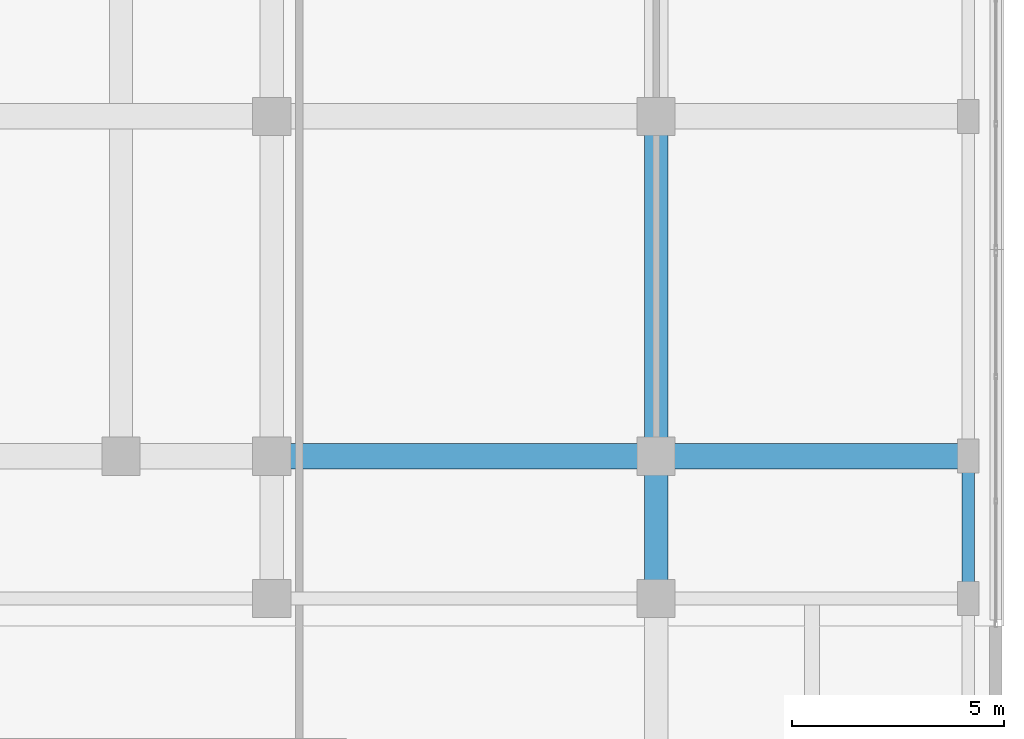
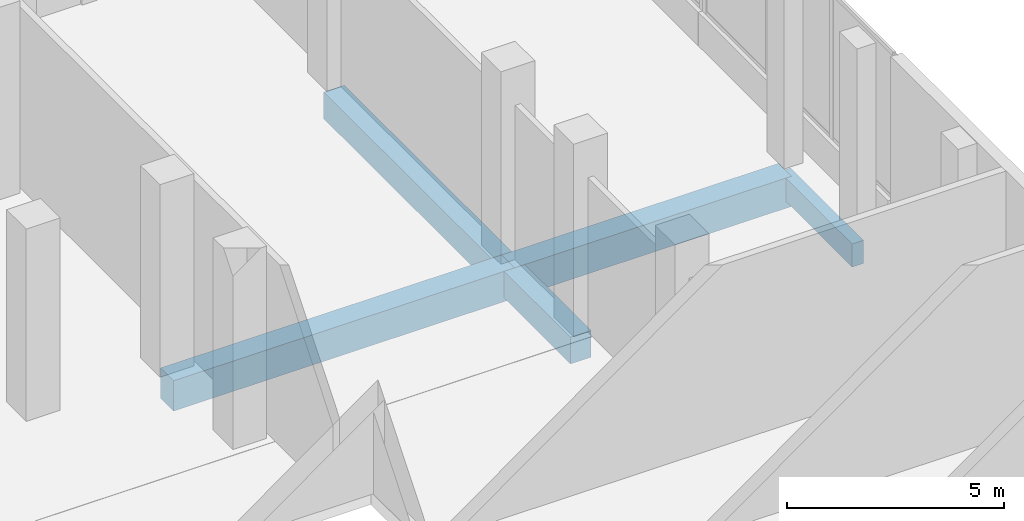
# One storey, part 109 of 158: 5 beams.
"""IFC4 building model written with IfcOpenShell, lengths in metres."""

from ifc_helpers import new_model, si_unit, direction, frame, origin, origin_2d, place, context, subcontext, project, spatial, rectangle, extrude, material, material_profile, profile_set, type_object, element, save


model = new_model("IFC4")

# Units and contexts
model_context = context("Model", 3, precision=1e-05, world=origin(), true_north=direction((0.0, 1.0)))
body_context = subcontext(model_context, "Body", "Model", "MODEL_VIEW")
ifc_project = project(units=[si_unit("LENGTHUNIT", "METRE"), si_unit("AREAUNIT", "SQUARE_METRE"), si_unit("VOLUMEUNIT", "CUBIC_METRE"), si_unit("PLANEANGLEUNIT", "RADIAN"), si_unit("MASSUNIT", "GRAM", prefix="KILO")], contexts=[model_context])

# Site, building, storey
site_placement = place(None, origin())
site = spatial("IfcSite", under=ifc_project, at=site_placement, CompositionType="ELEMENT")
building_placement = place(site_placement, origin())
building = spatial("IfcBuilding", under=site, at=building_placement, Name="Selatvlak General Hospital", CompositionType="ELEMENT")
storey_placement = place(building_placement, origin())
storey = spatial("IfcBuildingStorey", under=building, at=storey_placement, Name="L00", CompositionType="ELEMENT", Elevation=0.0)

# Beams
ifc_material = material(Name="Concrete C40/50", Category="concrete")
ifc_material_profile_1 = material_profile(ifc_material, rectangle(XDim=0.60009765625, YDim=0.85009765625, at=origin_2d()), Name="RC-BM 600x850")
ifc_profile_set_1 = profile_set([ifc_material_profile_1], Name="Concrete C40/50")
beam_type_1 = type_object("IfcBeamType", Name="BM-G01", PredefinedType="BEAM", material=ifc_profile_set_1)
beam_1_placement = place(storey_placement, frame((164.949951171875, 92.0, -0.77490234375), z_axis=(1.0, 0.0, 0.0), x_axis=(0.0, 1.0, 0.0)))
element("IfcBeam", 1, at=beam_1_placement, inside=storey, type_object=beam_type_1, Name="Beam BMR-L00-0091", PredefinedType="BEAM", context=body_context, shape_type="SweptSolid", body=[
    extrude(rectangle(XDim=0.60009765625, YDim=0.85009765625, at=origin_2d()), origin(), (0.0, 0.0, 1.0), 9.050048828125),
])
beam_2_placement = place(storey_placement, frame((174.0, 92.0, -0.77490234375), z_axis=(1.0, 0.0, 0.0), x_axis=(0.0, 1.0, 0.0)))
element("IfcBeam", 2, at=beam_2_placement, inside=storey, type_object=beam_type_1, Name="Beam BMR-L00-0092", PredefinedType="BEAM", context=body_context, shape_type="SweptSolid", body=[
    extrude(rectangle(XDim=0.60009765625, YDim=0.85009765625, at=origin_2d()), origin(), (0.0, 0.0, 1.0), 7.35009765625),
])
ifc_material_profile_2 = material_profile(ifc_material, rectangle(XDim=0.550048828125, YDim=0.75, at=origin_2d()), Name="RC-BM 550x750")
ifc_profile_set_2 = profile_set([ifc_material_profile_2], Name="Concrete C40/50")
beam_type_2 = type_object("IfcBeamType", Name="BM-G02", PredefinedType="BEAM", material=ifc_profile_set_2)
beam_3_placement = place(storey_placement, frame((174.0, 88.64990234375, -0.72509765625), z_axis=(0.0, 1.0, 0.0), x_axis=(-1.0, 0.0, 0.0)))
element("IfcBeam", 3, at=beam_3_placement, inside=storey, type_object=beam_type_2, Name="Beam BMR-L00-0298", PredefinedType="BEAM", context=body_context, shape_type="SweptSolid", body=[
    extrude(rectangle(XDim=0.550048828125, YDim=0.75, at=origin_2d()), origin(), (0.0, 0.0, 1.0), 3.35009765625),
])
beam_4_placement = place(storey_placement, frame((174.0, 92.0, -0.72509765625), z_axis=(0.0, 1.0, 0.0), x_axis=(-1.0, 0.0, 0.0)))
element("IfcBeam", 4, at=beam_4_placement, inside=storey, type_object=beam_type_2, Name="Beam BMR-L00-0299", PredefinedType="BEAM", context=body_context, shape_type="SweptSolid", body=[
    extrude(rectangle(XDim=0.550048828125, YDim=0.75, at=origin_2d()), origin(), (0.0, 0.0, 1.0), 8.0),
])
ifc_material_profile_3 = material_profile(ifc_material, rectangle(XDim=0.300048828125, YDim=0.64990234375, at=origin_2d()), Name="RC-SP 300x650")
ifc_profile_set_3 = profile_set([ifc_material_profile_3], Name="Concrete C40/50")
beam_type_3 = type_object("IfcBeamType", Name="BM-SP1", PredefinedType="SPANDREL", material=ifc_profile_set_3)
beam_5_placement = place(storey_placement, frame((181.35009765625, 88.64990234375, -0.675048828125), z_axis=(0.0, 1.0, 0.0), x_axis=(-1.0, 0.0, 0.0)))
element("IfcBeam", 5, at=beam_5_placement, inside=storey, type_object=beam_type_3, Name="Beam BMR-L00-0307", PredefinedType="SPANDREL", context=body_context, shape_type="SweptSolid", body=[
    extrude(rectangle(XDim=0.300048828125, YDim=0.64990234375, at=origin_2d()), origin(), (0.0, 0.0, 1.0), 3.35009765625),
])

save(model, "model.ifc")
